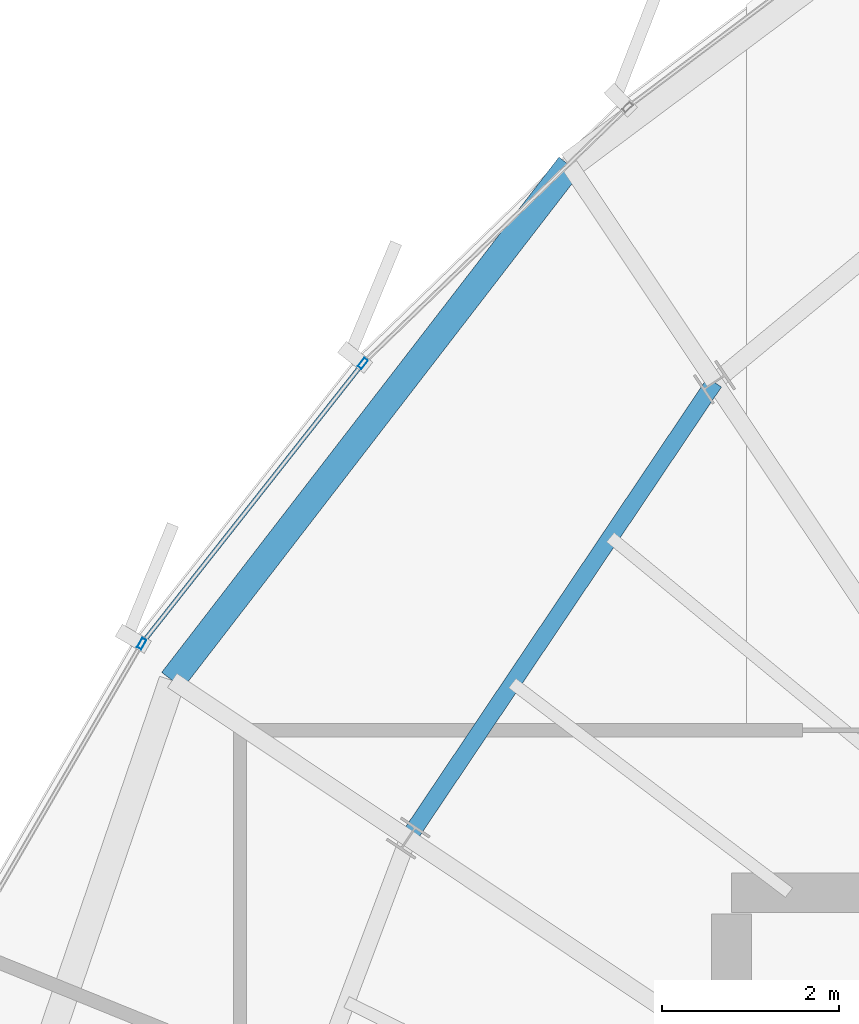
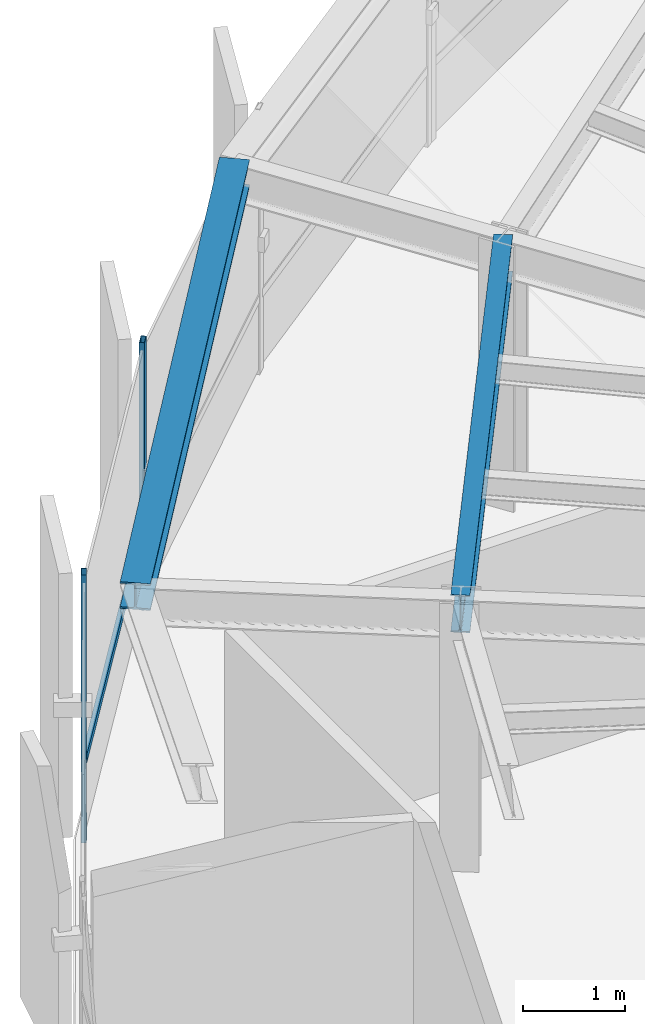
# One storey, part 18 of 34: 3 members, 2 beams, 1 element without a shape of its own.
"""IFC4 building model written with IfcOpenShell, lengths in metres."""

from ifc_helpers import new_model, si_unit, direction, frame, origin, origin_2d, place, context, subcontext, project, spatial, hollow_rectangle, i_section, extrude, source, transform, mapped, material, layer, layer_set, material_profile, profile_set, type_object, element, aggregate, save


model = new_model("IFC4")

# Units and contexts
model_context = context("Model", 3, precision=1e-05, world=origin(), true_north=direction((0.0, 1.0)))
body_context = subcontext(model_context, "Body", "Model", "MODEL_VIEW")
ifc_project = project(units=[si_unit("LENGTHUNIT", "METRE"), si_unit("AREAUNIT", "SQUARE_METRE"), si_unit("VOLUMEUNIT", "CUBIC_METRE"), si_unit("PLANEANGLEUNIT", "RADIAN"), si_unit("MASSUNIT", "GRAM", prefix="KILO"), si_unit("THERMODYNAMICTEMPERATUREUNIT", "KELVIN")], contexts=[model_context])

# Site, building, storey
site_placement = place(None, origin())
site = spatial("IfcSite", under=ifc_project, at=site_placement, CompositionType="ELEMENT")
building_placement = place(site_placement, origin())
building = spatial("IfcBuilding", under=site, at=building_placement, Name="Kethvar Cultural Tower", CompositionType="ELEMENT")
storey_placement = place(building_placement, frame((0.0, 0.0, 259.449951171875)))
storey = spatial("IfcBuildingStorey", under=building, at=storey_placement, Name="L68", CompositionType="ELEMENT", Elevation=259.449951171875)

# Beams
ifc_material_1 = material(Name="Steel S355J2", Category="steel")
ifc_material_profile_1 = material_profile(ifc_material_1, i_section(OverallWidth=0.18994140625, OverallDepth=0.449951171875, WebThickness=0.009521484375, FlangeThickness=0.0146484375, FilletRadius=0.02099609375, at=origin_2d()), Name="Steel S355J2 — IPE450")
ifc_profile_set_1 = profile_set([ifc_material_profile_1], Name="Steel S355J2 — IPE450")
beam_type_1 = type_object("IfcBeamType", Name="BM-IPE450", PredefinedType="BEAM", material=ifc_profile_set_1)
shared_shape_1 = source(origin(), body_context, "Body", "SweptSolid", [
    extrude(i_section(OverallWidth=0.18994140625, OverallDepth=0.449951171875, WebThickness=0.009521484375, FlangeThickness=0.0146484375, FilletRadius=0.02099609375, at=origin_2d()), origin(), (0.0, 0.0, 1.0), 6.192626953125),
])
beam_1_placement = place(storey_placement, frame((37.8095703125, 41.255126953125, 2.983154296875), z_axis=(-0.557698912025, -0.830043326295, 0.0), x_axis=(0.830043326295, -0.557698912025, 0.0)))
element("IfcBeam", 1, at=beam_1_placement, inside=storey, type_object=beam_type_1, Name="L68 Column Ring Tie Beam CR-06", PredefinedType="BEAM", context=body_context, shape_type="MappedRepresentation", body=[
    mapped(shared_shape_1, transform((0.0, 0.0, 0.0), scale=1.0)),
])
ifc_material_profile_2 = material_profile(ifc_material_1, i_section(OverallWidth=0.300048828125, OverallDepth=0.320068359375, WebThickness=0.011474609375, FlangeThickness=0.0205078125, FilletRadius=0.027099609375, at=origin_2d()), Name="Steel S355J2 — HEB320")
ifc_profile_set_2 = profile_set([ifc_material_profile_2], Name="Steel S355J2 — HEB320")
beam_type_2 = type_object("IfcBeamType", Name="BM-SP320", PredefinedType="SPANDREL", material=ifc_profile_set_2)
shared_shape_2 = source(origin(), body_context, "Body", "SweptSolid", [
    extrude(i_section(OverallWidth=0.300048828125, OverallDepth=0.320068359375, WebThickness=0.011474609375, FlangeThickness=0.0205078125, FilletRadius=0.027099609375, at=origin_2d()), origin(), (0.0, 0.0, 1.0), 7.335693359375),
])
beam_2_placement = place(storey_placement, frame((36.1748046875, 43.70166015625, 3.048095703125), z_axis=(-0.610649639146, -0.791900889134, 0.0), x_axis=(0.791900889134, -0.610649639146, 0.0)))
element("IfcBeam", 2, at=beam_2_placement, inside=storey, type_object=beam_type_2, Name="L68 Perimeter Spandrel Beam SP-06", PredefinedType="SPANDREL", context=body_context, shape_type="MappedRepresentation", body=[
    mapped(shared_shape_2, transform((0.0, 0.0, 0.0), scale=1.0)),
])

# Curtain wall, members
ifc_material_2 = material(Name="Aluminium 6063-T6", Category="aluminium")
ifc_layer = layer(ifc_material_2, 0.179931640625, Name="Aluminium 6063-T6", Category="aluminium")
ifc_layer_set = layer_set([ifc_layer], Name="Aluminium 6063-T6 (180 mm)")
curtain_wall_type = type_object("IfcCurtainWallType", Name="CW-SYS-05-Z56", PredefinedType="NOTDEFINED", material=ifc_layer_set)
curtain_wall_placement = place(storey_placement, origin())
curtain_wall = element("IfcCurtainWall", 3, at=curtain_wall_placement, inside=storey, type_object=curtain_wall_type, Name="L68 Curtain Wall Run 02", PredefinedType="NOTDEFINED")
ifc_material_profile_3 = material_profile(ifc_material_2, hollow_rectangle(XDim=0.054931640625, YDim=0.1201171875, WallThickness=0.00390625, at=origin_2d()), Name="Aluminium 6063-T6 — RHS120x55x4")
ifc_profile_set_3 = profile_set([ifc_material_profile_3], Name="Aluminium 6063-T6 — RHS120x55x4")
member_type_1 = type_object("IfcMemberType", Name="CW-SYS-05-Z56-MUL", PredefinedType="MULLION", material=ifc_profile_set_3)
shared_shape_3 = source(origin(), body_context, "Body", "SweptSolid", [
    extrude(hollow_rectangle(XDim=0.054931640625, YDim=0.1201171875, WallThickness=0.00390625, at=origin_2d()), origin(), (0.0, 0.0, 1.0), 3.2099609375),
])
member_1_placement = place(storey_placement, frame((33.843994140625, 41.4677734375, 0.0), z_axis=(0.0, 0.0, 1.0), x_axis=(0.785295319947, -0.619121361665, 0.0)))
member_1 = element("IfcMember", 4, at=member_1_placement, type_object=member_type_1, Name="CW-L68-R02 Mullion 3", PredefinedType="MULLION", context=body_context, shape_type="MappedRepresentation", body=[
    mapped(shared_shape_3, transform((0.0, 0.0, 0.0), scale=1.0)),
])
member_2_placement = place(storey_placement, frame((31.351318359375, 38.3076171875, 0.0), z_axis=(0.0, 0.0, 1.0), x_axis=(0.86516892607, -0.501480537372, 0.0)))
member_2 = element("IfcMember", 5, at=member_2_placement, type_object=member_type_1, Name="CW-L68-R02 Mullion 4", PredefinedType="MULLION", context=body_context, shape_type="MappedRepresentation", body=[
    mapped(shared_shape_3, transform((0.0, 0.0, 0.0), scale=1.0)),
])
ifc_material_profile_4 = material_profile(ifc_material_2, hollow_rectangle(XDim=0.050048828125, YDim=0.10009765625, WallThickness=0.00390625, at=origin_2d()), Name="Aluminium 6063-T6 — RHS100x50x4")
ifc_profile_set_4 = profile_set([ifc_material_profile_4], Name="Aluminium 6063-T6 — RHS100x50x4")
member_type_2 = type_object("IfcMemberType", Name="CW-SYS-05-Z56-TRN", PredefinedType="USERDEFINED", material=ifc_profile_set_4)
shared_shape_4 = source(origin(), body_context, "Body", "SweptSolid", [
    extrude(hollow_rectangle(XDim=0.050048828125, YDim=0.10009765625, WallThickness=0.00390625, at=origin_2d()), origin(), (0.0, 0.0, 1.0), 3.9599609375),
])
member_3_placement = place(storey_placement, frame((33.8193359375, 41.436767578125, 0.949951171875), z_axis=(-0.619100431835, -0.785311820426, 0.0), x_axis=(0.785311820426, -0.619100431835, 0.0)))
member_3 = element("IfcMember", 6, at=member_3_placement, type_object=member_type_2, Name="CW-L68-R02 Transom 3", ObjectType="TRANSOM", PredefinedType="USERDEFINED", context=body_context, shape_type="MappedRepresentation", body=[
    mapped(shared_shape_4, transform((0.0, 0.0, 0.0), scale=1.0)),
])
aggregate(curtain_wall, [member_1, member_2, member_3])

save(model, "model.ifc")
